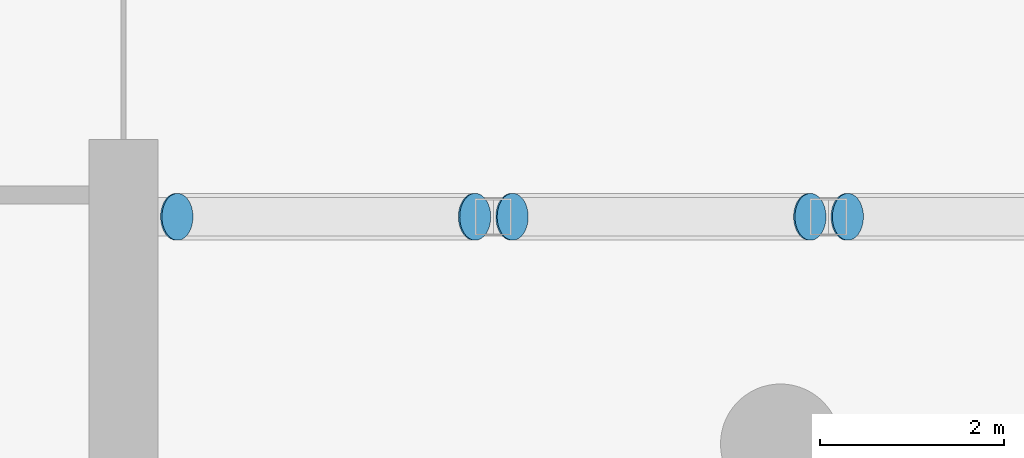
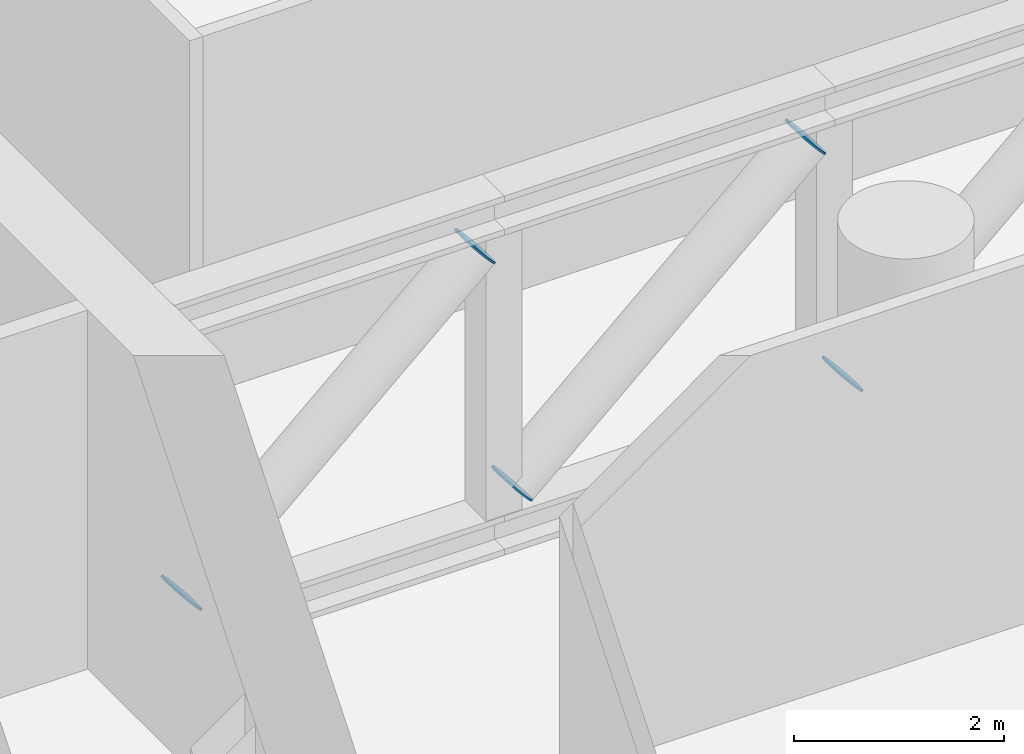
# One storey, part 14 of 18: 5 discrete accessories.
"""IFC4 building model written with IfcOpenShell, lengths in metres."""

from ifc_helpers import new_model, si_unit, direction, frame, origin, origin_2d, place, context, subcontext, project, spatial, circle, extrude, material, material_profile, profile_set, type_object, element, save


model = new_model("IFC4")

# Units and contexts
model_context = context("Model", 3, precision=1e-05, world=origin(), true_north=direction((0.0, 1.0)))
body_context = subcontext(model_context, "Body", "Model", "MODEL_VIEW")
ifc_project = project(units=[si_unit("LENGTHUNIT", "METRE"), si_unit("AREAUNIT", "SQUARE_METRE"), si_unit("VOLUMEUNIT", "CUBIC_METRE"), si_unit("PLANEANGLEUNIT", "RADIAN"), si_unit("MASSUNIT", "GRAM", prefix="KILO")], contexts=[model_context])

# Site, building, storey
site_placement = place(None, origin())
site = spatial("IfcSite", under=ifc_project, at=site_placement, CompositionType="ELEMENT")
building_placement = place(site_placement, origin())
building = spatial("IfcBuilding", under=site, at=building_placement, Name="Dhurran Vertical Campus", CompositionType="ELEMENT")
storey_placement = place(building_placement, frame((0.0, 0.0, 128.10009765625)))
storey = spatial("IfcBuildingStorey", under=building, at=storey_placement, Name="L31 Plant", CompositionType="ELEMENT", Elevation=128.10009765625)

# Discrete accessories
ifc_material = material(Name="Steel S355J2", Category="steel")
ifc_material_profile = material_profile(ifc_material, circle(Radius=0.25390625, at=origin_2d()), Name="Tube end cap 508 x 20")
ifc_profile_set = profile_set([ifc_material_profile], Name="Steel S355J2")
discrete_accessory_type = type_object("IfcDiscreteAccessoryType", Name="Tube end cap 508 x 20", PredefinedType="USERDEFINED", material=ifc_profile_set)
for number, where, z_axis, x_axis, name in (
    (1, (15.96044921875, -2.03662109375, 0.643798828125), (-0.748762225055, 0.0, -0.662838691033), (0.0, -1.0, 0.0), "EC1 outrigger L31 OR-E d0 capA"),
    (2, (19.17529296875, -2.03662109375, 3.531005859375), (0.748762225055, 0.0, 0.662838691033), (0.0, 1.0, 0.0), "EC1 outrigger L31 OR-E d0 capB"),
    (3, (19.59619140625, -2.03662109375, 0.643798828125), (-0.748762225055, 0.0, -0.662838691033), (0.0, -1.0, 0.0), "EC1 outrigger L31 OR-E d1 capA"),
    (4, (22.810791015625, -2.03662109375, 3.531005859375), (0.748762225055, 0.0, 0.662838691033), (0.0, 1.0, 0.0), "EC1 outrigger L31 OR-E d1 capB"),
    (5, (23.231689453125, -2.03662109375, 0.643798828125), (-0.748762225055, 0.0, -0.662838691033), (0.0, -1.0, 0.0), "EC1 outrigger L31 OR-E d2 capA"),
):
    element("IfcDiscreteAccessory", number, at=place(storey_placement, frame(where, z_axis=z_axis, x_axis=x_axis)), inside=storey, type_object=discrete_accessory_type, Name=name, ObjectType="END CAP", PredefinedType="USERDEFINED", context=body_context, shape_type="SweptSolid", body=[
        extrude(circle(Radius=0.25390625, at=origin_2d()), origin(), (0.0, 0.0, 1.0), 0.019775390625),
    ])

save(model, "model.ifc")
